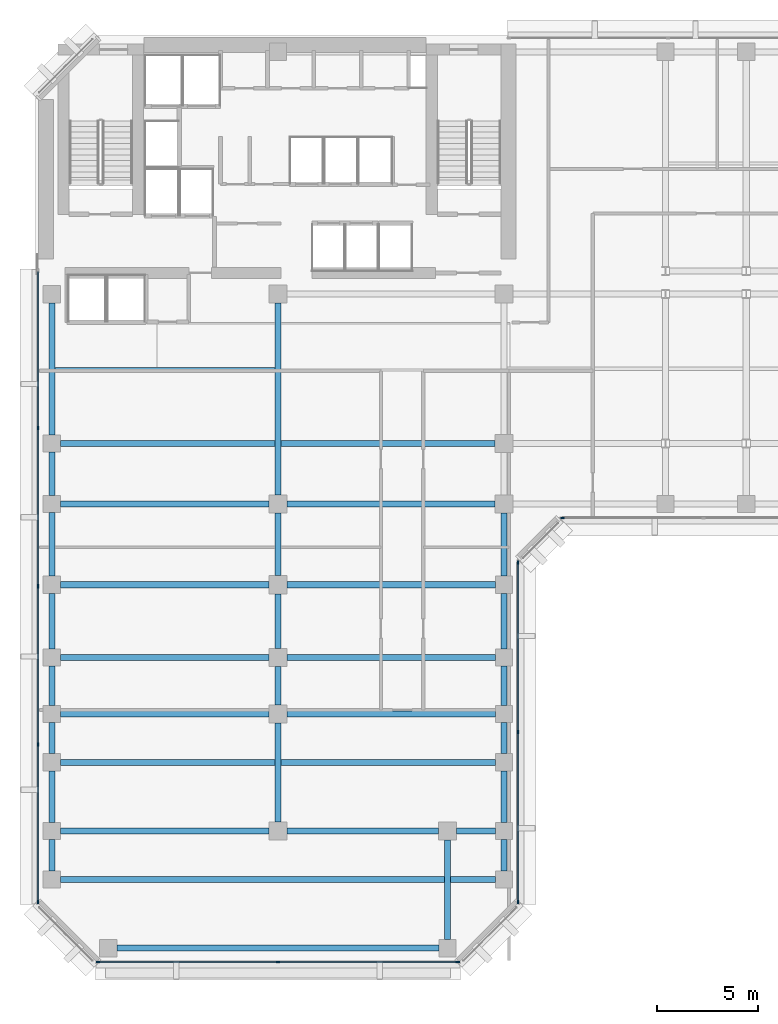
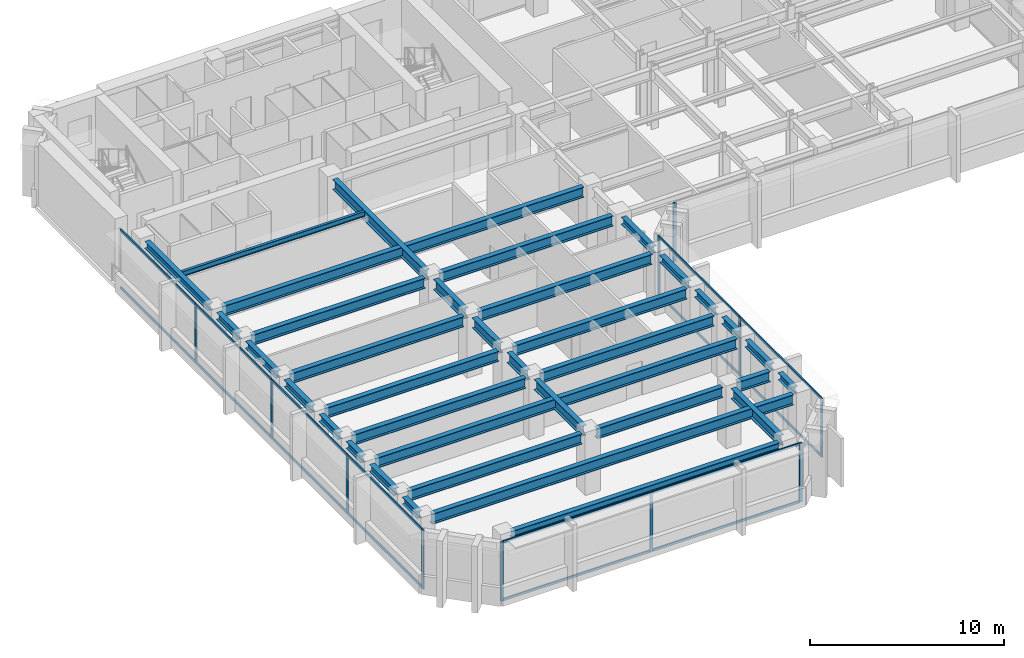
# One storey, part 2 of 11: 36 beams, 27 members, 4 elements without a shape of their own.
"""IFC4 building model written with IfcOpenShell, lengths in metres."""

import ifcopenshell
import ifcopenshell.guid

model = None  # the IFC model being written
_history = None  # IfcOwnerHistory: only IFC2X3 demands one
_inside = {}  # id of a spatial element -> (the spatial element, [elements in it])
_under = {}  # id of a project, library or spatial element -> (it, [spatial elements below it])
_declared = {}  # id of a project -> (the project, [libraries it declares])
_typed = {}  # id of a type object -> (the type object, [elements of that type])
_made_of = {}  # id of a material, layer set ... -> (it, [elements and type objects made of it])


def new_model(schema):
    """Start an empty IFC model of exactly this schema.

    Asked for "IFC4X3", IfcOpenShell would pick the latest addendum, in which some entities
    have other attributes; the version numbers below select the first issue.
    IFC2X3 requires an IfcOwnerHistory on every rooted entity: one is made here for all.
    """
    global model, _history
    if schema == "IFC4X3":
        model = ifcopenshell.file(schema_version=(4, 3, 0, 0))
    else:
        model = ifcopenshell.file(schema=schema)
    _inside.clear()
    _under.clear()
    _declared.clear()
    _typed.clear()
    _made_of.clear()
    _history = None
    if model.schema == "IFC2X3":
        org = make("IfcOrganization", Name="unknown")
        user = make(
            "IfcPersonAndOrganization",
            ThePerson=make("IfcPerson", FamilyName="unknown"),
            TheOrganization=org,
        )
        app = make(
            "IfcApplication",
            ApplicationDeveloper=org,
            Version="unknown",
            ApplicationFullName="unknown",
            ApplicationIdentifier="unknown",
        )
        _history = make(
            "IfcOwnerHistory",
            OwningUser=user,
            OwningApplication=app,
            ChangeAction="ADDED",
            CreationDate=0,
        )
    return model


def make(cls, **values):
    """One entity of the class cls with the attributes given. An attribute that is None is left unset."""
    return model.create_entity(
        cls, **{name: value for name, value in values.items() if value is not None}
    )


def rooted(cls, **values):
    """An entity with a GlobalId (a new one), such as an element, a storey or a relation."""
    return make(cls, GlobalId=ifcopenshell.guid.new(), OwnerHistory=_history, **values)


def si_unit(unit_type, name, prefix=None):
    """IfcSIUnit, for example si_unit("LENGTHUNIT", "METRE", prefix="MILLI")."""
    return make("IfcSIUnit", UnitType=unit_type, Prefix=prefix, Name=name)


def assignment(units):
    """IfcUnitAssignment: the units of a project."""
    return None if units is None else make("IfcUnitAssignment", Units=units)


def point(xyz):
    """IfcCartesianPoint."""
    return None if xyz is None else make("IfcCartesianPoint", Coordinates=xyz)


def direction(xyz):
    """IfcDirection."""
    return None if xyz is None else make("IfcDirection", DirectionRatios=xyz)


def frame(location, z_axis=None, x_axis=None):
    """IfcAxis2Placement3D, a coordinate frame: its origin and axes. An axis left out is left unset."""
    return make(
        "IfcAxis2Placement3D",
        Location=point(location),
        Axis=direction(z_axis),
        RefDirection=direction(x_axis),
    )


def frame_2d(location, x_axis=None):
    """IfcAxis2Placement2D, a coordinate frame in the plane: its origin and x axis."""
    return make(
        "IfcAxis2Placement2D", Location=point(location), RefDirection=direction(x_axis)
    )


def origin():
    """The frame at (0, 0, 0) with its axes left unset."""
    return frame((0.0, 0.0, 0.0))


def origin_2d():
    """The frame at (0, 0) in the plane with its x axis left unset."""
    return frame_2d((0.0, 0.0))


def place(relative_to, where):
    """IfcLocalPlacement: puts the frame where relative to a parent placement (None: the world)."""
    return make(
        "IfcLocalPlacement", PlacementRelTo=relative_to, RelativePlacement=where
    )


def context(
    kind, dimensions, precision=None, world=None, true_north=None, identifier=None
):
    """IfcGeometricRepresentationContext, for example the 3D "Model" context."""
    return make(
        "IfcGeometricRepresentationContext",
        ContextIdentifier=identifier,
        ContextType=kind,
        CoordinateSpaceDimension=dimensions,
        Precision=precision,
        WorldCoordinateSystem=world,
        TrueNorth=true_north,
    )


def subcontext(parent, identifier, kind, view, scale=None):
    """IfcGeometricRepresentationSubContext, for example "Body" below "Model"."""
    return make(
        "IfcGeometricRepresentationSubContext",
        ContextIdentifier=identifier,
        ContextType=kind,
        ParentContext=parent,
        TargetScale=scale,
        TargetView=view,
    )


def project(units=None, contexts=None):
    """IfcProject with its units and contexts."""
    return rooted(
        "IfcProject",
        Name="project",
        RepresentationContexts=contexts,
        UnitsInContext=assignment(units),
    )


def spatial(cls, under=None, at=None, **own):
    """A site, building, storey or space (cls), placed at a placement, below another one or the project."""
    s = rooted(cls, ObjectPlacement=at, **own)
    if under is not None:
        _under.setdefault(under.id(), (under, []))[1].append(s)
    return s


def profile(cls, at=None, kind="AREA", **sizes):
    """A parametric profile (cls). Its sizes go by their IFC names, for example OverallWidth=200.0."""
    return make(cls, ProfileType=kind, Position=at, **sizes)


def rectangle(**sizes):
    """IfcRectangleProfileDef."""
    return profile("IfcRectangleProfileDef", **sizes)


def i_section(**sizes):
    """IfcIShapeProfileDef."""
    return profile("IfcIShapeProfileDef", **sizes)


def extrude(swept, where, along, depth):
    """IfcExtrudedAreaSolid: the profile swept, set in the frame where, extruded along a direction by depth."""
    return make(
        "IfcExtrudedAreaSolid",
        SweptArea=swept,
        Position=where,
        ExtrudedDirection=direction(along),
        Depth=depth,
    )


def shape(context_of_items, identifier, shape_type, items):
    """IfcShapeRepresentation: the items that make up one representation, for example the "Body"."""
    return make(
        "IfcShapeRepresentation",
        ContextOfItems=context_of_items,
        RepresentationIdentifier=identifier,
        RepresentationType=shape_type,
        Items=items,
    )


def material(Name=None, Category=None):
    """IfcMaterial."""
    return make("IfcMaterial", Name=Name, Category=Category)


def layer(
    of_material, thickness, ventilated=None, Name=None, Category=None, Priority=None
):
    """IfcMaterialLayer: one layer of a wall or slab, of a material (None: an air gap)."""
    return make(
        "IfcMaterialLayer",
        Material=of_material,
        LayerThickness=thickness,
        IsVentilated=ventilated,
        Name=Name,
        Category=Category,
        Priority=Priority,
    )


def layer_set(layers, Name=None):
    """IfcMaterialLayerSet."""
    return make("IfcMaterialLayerSet", MaterialLayers=layers, LayerSetName=Name)


def material_profile(
    of_material, cross_section, Name=None, Category=None, Priority=None
):
    """IfcMaterialProfile: a cross section and its material."""
    return make(
        "IfcMaterialProfile",
        Name=Name,
        Material=of_material,
        Profile=cross_section,
        Priority=Priority,
        Category=Category,
    )


def profile_set(profiles, Name=None, composite=None):
    """IfcMaterialProfileSet."""
    return make(
        "IfcMaterialProfileSet",
        Name=Name,
        MaterialProfiles=profiles,
        CompositeProfile=composite,
    )


def made_of(thing, what):
    """Note that an element or type object is made of a material, layer set ...; save() writes the relation."""
    if what is not None:
        _made_of.setdefault(what.id(), (what, []))[1].append(thing)
    return thing


def type_object(cls, material=None, **own):
    """A type object (cls), such as IfcWallType, which elements share."""
    return made_of(rooted(cls, **own), material)


def element(
    cls,
    number,
    at=None,
    inside=None,
    cuts=None,
    type_object=None,
    material=None,
    context=None,
    identifier="Body",
    shape_type=None,
    held_by="IfcProductDefinitionShape",
    body=None,
    shapes=None,
    **own,
):
    """One element of the class cls, such as IfcWall. Its Tag is "e" and its number.

    at: its placement. inside: the storey or other place that contains it. cuts: it is an
    opening in that element (IfcRelVoidsElement). A single representation is given by context,
    identifier, shape_type and body (its items); several are given by shapes. held_by: the class
    of the entity that holds the representations. save() writes the other relations.
    """
    e = rooted(cls, Tag="e%d" % number, ObjectPlacement=at, **own)
    if body is not None:
        shapes = [shape(context, identifier, shape_type, body)]
    if shapes is not None:
        e.Representation = make(held_by, Representations=shapes)
    if inside is not None:
        _inside.setdefault(inside.id(), (inside, []))[1].append(e)
    if cuts is not None:
        rooted(
            "IfcRelVoidsElement", RelatingBuildingElement=cuts, RelatedOpeningElement=e
        )
    if type_object is not None:
        _typed.setdefault(type_object.id(), (type_object, []))[1].append(e)
    return made_of(e, material)


def aggregate(whole, parts):
    """IfcRelAggregates: a whole, such as a stair, and the parts it consists of."""
    return rooted("IfcRelAggregates", RelatingObject=whole, RelatedObjects=parts)


def save(model, path):
    """Write the relations noted so far, then the file.

    IfcRelAggregates (storeys below a building ...), IfcRelContainedInSpatialStructure (elements
    in a storey), IfcRelDefinesByType, IfcRelAssociatesMaterial and IfcRelDeclares: one each for
    every whole, place, type object, material and project.
    """
    for whole, parts in _under.values():
        aggregate(whole, parts)
    for where, things in _inside.values():
        rooted(
            "IfcRelContainedInSpatialStructure",
            RelatedElements=things,
            RelatingStructure=where,
        )
    for kind, things in _typed.values():
        rooted("IfcRelDefinesByType", RelatedObjects=things, RelatingType=kind)
    for what, things in _made_of.values():
        rooted("IfcRelAssociatesMaterial", RelatedObjects=things, RelatingMaterial=what)
    for by, libraries in _declared.values():
        rooted("IfcRelDeclares", RelatingContext=by, RelatedDefinitions=libraries)
    model.write(path)


model = new_model("IFC4")

# Units and contexts
model_context = context("Model", 3, precision=1e-05, world=origin(), true_north=direction((0.0, 1.0)))
body_context = subcontext(model_context, "Body", "Model", "MODEL_VIEW")
ifc_project = project(units=[si_unit("LENGTHUNIT", "METRE"), si_unit("AREAUNIT", "SQUARE_METRE"), si_unit("VOLUMEUNIT", "CUBIC_METRE"), si_unit("PLANEANGLEUNIT", "RADIAN"), si_unit("MASSUNIT", "GRAM", prefix="KILO")], contexts=[model_context])

# Site, building, storey
site_placement = place(None, origin())
site = spatial("IfcSite", under=ifc_project, at=site_placement, CompositionType="ELEMENT")
building_placement = place(site_placement, origin())
building = spatial("IfcBuilding", under=site, at=building_placement, Name="Kefirva Bronze Tower", CompositionType="ELEMENT")
storey_placement = place(building_placement, frame((0.0, 0.0, 179.52001953125)))
storey = spatial("IfcBuildingStorey", under=building, at=storey_placement, Name="L43", CompositionType="ELEMENT", Elevation=179.52001953125)

# Curtain wall, members
ifc_material_1 = material(Name="Bronze anodised aluminium", Category="aluminium")
ifc_layer = layer(ifc_material_1, 0.199951171875, Name="Bronze anodised aluminium")
ifc_layer_set = layer_set([ifc_layer], Name="Bronze anodised aluminium")
curtain_wall_type = type_object("IfcCurtainWallType", Name="Unitised Bronze Ribbon Curtain Wall Zone 2", PredefinedType="USERDEFINED", material=ifc_layer_set)
curtain_wall_1_placement = place(storey_placement, origin())
curtain_wall_1 = element("IfcCurtainWall", 1, at=curtain_wall_1_placement, inside=storey, type_object=curtain_wall_type, Name="L43 Curtain Wall 1", ObjectType="UNITISED CURTAIN WALL", PredefinedType="USERDEFINED")
ifc_material_profile_1 = material_profile(ifc_material_1, rectangle(XDim=0.074951171875, YDim=0.179931640625, at=origin_2d()), Name="ALU 75x180")
ifc_profile_set_1 = profile_set([ifc_material_profile_1], Name="Bronze anodised aluminium")
member_type_1 = type_object("IfcMemberType", Name="Bronze Mullion 75x180", PredefinedType="MULLION", material=ifc_profile_set_1)
member_1_placement = place(storey_placement, frame((3.092529296875, 0.1201171875, 0.0), z_axis=(0.0, 0.0, 1.0), x_axis=(0.0, 1.0, 0.0)))
member_1 = element("IfcMember", 2, at=member_1_placement, type_object=member_type_1, Name="CW-02 mullion 1", PredefinedType="MULLION", context=body_context, shape_type="SweptSolid", body=[
    extrude(rectangle(XDim=0.074951171875, YDim=0.179931640625, at=origin_2d()), origin(), (0.0, 0.0, 1.0), 3.7099609375),
])
member_2_placement = place(storey_placement, frame((12.0, 0.1201171875, 0.0), z_axis=(0.0, 0.0, 1.0), x_axis=(0.0, 1.0, 0.0)))
member_2 = element("IfcMember", 3, at=member_2_placement, type_object=member_type_1, Name="CW-02 mullion 2", PredefinedType="MULLION", context=body_context, shape_type="SweptSolid", body=[
    extrude(rectangle(XDim=0.074951171875, YDim=0.179931640625, at=origin_2d()), origin(), (0.0, 0.0, 1.0), 3.7099609375),
])
member_3_placement = place(storey_placement, frame((20.907470703125, 0.1201171875, 0.0), z_axis=(0.0, 0.0, 1.0), x_axis=(0.0, 1.0, 0.0)))
member_3 = element("IfcMember", 4, at=member_3_placement, type_object=member_type_1, Name="CW-02 mullion 3", PredefinedType="MULLION", context=body_context, shape_type="SweptSolid", body=[
    extrude(rectangle(XDim=0.074951171875, YDim=0.179931640625, at=origin_2d()), origin(), (0.0, 0.0, 1.0), 3.7099609375),
])

curtain_wall_2_placement = place(storey_placement, origin())
curtain_wall_2 = element("IfcCurtainWall", 5, at=curtain_wall_2_placement, inside=storey, type_object=curtain_wall_type, Name="L43 Curtain Wall 2", ObjectType="UNITISED CURTAIN WALL", PredefinedType="USERDEFINED")
member_4_placement = place(storey_placement, frame((23.8798828125, 3.092529296875, 0.0), z_axis=(0.0, 0.0, 1.0), x_axis=(-1.0, 0.0, 0.0)))
member_4 = element("IfcMember", 6, at=member_4_placement, type_object=member_type_1, Name="CW-02 mullion 1", PredefinedType="MULLION", context=body_context, shape_type="SweptSolid", body=[
    extrude(rectangle(XDim=0.074951171875, YDim=0.179931640625, at=origin_2d()), origin(), (0.0, 0.0, 1.0), 3.7099609375),
])
member_5_placement = place(storey_placement, frame((23.8798828125, 11.5, 0.0), z_axis=(0.0, 0.0, 1.0), x_axis=(-1.0, 0.0, 0.0)))
member_5 = element("IfcMember", 7, at=member_5_placement, type_object=member_type_1, Name="CW-02 mullion 2", PredefinedType="MULLION", context=body_context, shape_type="SweptSolid", body=[
    extrude(rectangle(XDim=0.074951171875, YDim=0.179931640625, at=origin_2d()), origin(), (0.0, 0.0, 1.0), 3.7099609375),
])
member_6_placement = place(storey_placement, frame((23.8798828125, 19.907470703125, 0.0), z_axis=(0.0, 0.0, 1.0), x_axis=(-1.0, 0.0, 0.0)))
member_6 = element("IfcMember", 8, at=member_6_placement, type_object=member_type_1, Name="CW-02 mullion 3", PredefinedType="MULLION", context=body_context, shape_type="SweptSolid", body=[
    extrude(rectangle(XDim=0.074951171875, YDim=0.179931640625, at=origin_2d()), origin(), (0.0, 0.0, 1.0), 3.7099609375),
])

# Curtain wall, member
curtain_wall_3_placement = place(storey_placement, origin())
curtain_wall_3 = element("IfcCurtainWall", 9, at=curtain_wall_3_placement, inside=storey, type_object=curtain_wall_type, Name="L43 Curtain Wall 3", ObjectType="UNITISED CURTAIN WALL", PredefinedType="USERDEFINED")
member_7_placement = place(storey_placement, frame((26.092529296875, 22.1201171875, 0.0), z_axis=(0.0, 0.0, 1.0), x_axis=(0.0, 1.0, 0.0)))
member_7 = element("IfcMember", 10, at=member_7_placement, type_object=member_type_1, Name="CW-02 mullion 1", PredefinedType="MULLION", context=body_context, shape_type="SweptSolid", body=[
    extrude(rectangle(XDim=0.074951171875, YDim=0.179931640625, at=origin_2d()), origin(), (0.0, 0.0, 1.0), 3.7099609375),
])
aggregate(curtain_wall_3, [member_7])

# Curtain wall, members
curtain_wall_4_placement = place(storey_placement, origin())
curtain_wall_4 = element("IfcCurtainWall", 11, at=curtain_wall_4_placement, inside=storey, type_object=curtain_wall_type, Name="L43 Curtain Wall 6", ObjectType="UNITISED CURTAIN WALL", PredefinedType="USERDEFINED")
member_8_placement = place(storey_placement, frame((0.1201171875, 26.56005859375, 0.0), z_axis=(0.0, 0.0, 1.0), x_axis=(1.0, 0.0, 0.0)))
member_8 = element("IfcMember", 12, at=member_8_placement, type_object=member_type_1, Name="CW-02 mullion 2", PredefinedType="MULLION", context=body_context, shape_type="SweptSolid", body=[
    extrude(rectangle(XDim=0.074951171875, YDim=0.179931640625, at=origin_2d()), origin(), (0.0, 0.0, 1.0), 3.7099609375),
])
member_9_placement = place(storey_placement, frame((0.1201171875, 18.72509765625, 0.0), z_axis=(0.0, 0.0, 1.0), x_axis=(1.0, 0.0, 0.0)))
member_9 = element("IfcMember", 13, at=member_9_placement, type_object=member_type_1, Name="CW-02 mullion 3", PredefinedType="MULLION", context=body_context, shape_type="SweptSolid", body=[
    extrude(rectangle(XDim=0.074951171875, YDim=0.179931640625, at=origin_2d()), origin(), (0.0, 0.0, 1.0), 3.7099609375),
])
member_10_placement = place(storey_placement, frame((0.1201171875, 10.889892578125, 0.0), z_axis=(0.0, 0.0, 1.0), x_axis=(1.0, 0.0, 0.0)))
member_10 = element("IfcMember", 14, at=member_10_placement, type_object=member_type_1, Name="CW-02 mullion 4", PredefinedType="MULLION", context=body_context, shape_type="SweptSolid", body=[
    extrude(rectangle(XDim=0.074951171875, YDim=0.179931640625, at=origin_2d()), origin(), (0.0, 0.0, 1.0), 3.7099609375),
])
member_11_placement = place(storey_placement, frame((0.1201171875, 3.092529296875, 0.0), z_axis=(0.0, 0.0, 1.0), x_axis=(1.0, 0.0, 0.0)))
member_11 = element("IfcMember", 15, at=member_11_placement, type_object=member_type_1, Name="CW-02 mullion 5", PredefinedType="MULLION", context=body_context, shape_type="SweptSolid", body=[
    extrude(rectangle(XDim=0.074951171875, YDim=0.179931640625, at=origin_2d()), origin(), (0.0, 0.0, 1.0), 3.7099609375),
])

# Member
ifc_material_profile_2 = material_profile(ifc_material_1, rectangle(XDim=0.074951171875, YDim=0.14990234375, at=origin_2d()), Name="ALU 75x150")
ifc_profile_set_2 = profile_set([ifc_material_profile_2], Name="Bronze anodised aluminium")
member_type_2 = type_object("IfcMemberType", Name="Bronze Transom 75x150", PredefinedType="USERDEFINED", material=ifc_profile_set_2)
member_12_placement = place(storey_placement, frame((3.1298828125, 0.1201171875, 0.03759765625), z_axis=(1.0, 0.0, 0.0), x_axis=(0.0, 1.0, 0.0)))
member_12 = element("IfcMember", 16, at=member_12_placement, type_object=member_type_2, Name="CW-02 transom 1.1", ObjectType="TRANSOM", PredefinedType="USERDEFINED", context=body_context, shape_type="SweptSolid", body=[
    extrude(rectangle(XDim=0.074951171875, YDim=0.14990234375, at=origin_2d()), origin(), (0.0, 0.0, 1.0), 8.83251953125),
])

member_13_placement = place(storey_placement, frame((3.1298828125, 0.1201171875, 3.67236328125), z_axis=(1.0, 0.0, 0.0), x_axis=(0.0, 1.0, 0.0)))
member_13 = element("IfcMember", 17, at=member_13_placement, type_object=member_type_2, Name="CW-02 transom 1.2", ObjectType="TRANSOM", PredefinedType="USERDEFINED", context=body_context, shape_type="SweptSolid", body=[
    extrude(rectangle(XDim=0.074951171875, YDim=0.14990234375, at=origin_2d()), origin(), (0.0, 0.0, 1.0), 8.83251953125),
])

member_14_placement = place(storey_placement, frame((12.03759765625, 0.1201171875, 0.03759765625), z_axis=(1.0, 0.0, 0.0), x_axis=(0.0, 1.0, 0.0)))
member_14 = element("IfcMember", 18, at=member_14_placement, type_object=member_type_2, Name="CW-02 transom 2.1", ObjectType="TRANSOM", PredefinedType="USERDEFINED", context=body_context, shape_type="SweptSolid", body=[
    extrude(rectangle(XDim=0.074951171875, YDim=0.14990234375, at=origin_2d()), origin(), (0.0, 0.0, 1.0), 8.83251953125),
])

member_15_placement = place(storey_placement, frame((12.03759765625, 0.1201171875, 3.67236328125), z_axis=(1.0, 0.0, 0.0), x_axis=(0.0, 1.0, 0.0)))
member_15 = element("IfcMember", 19, at=member_15_placement, type_object=member_type_2, Name="CW-02 transom 2.2", ObjectType="TRANSOM", PredefinedType="USERDEFINED", context=body_context, shape_type="SweptSolid", body=[
    extrude(rectangle(XDim=0.074951171875, YDim=0.14990234375, at=origin_2d()), origin(), (0.0, 0.0, 1.0), 8.83251953125),
])

aggregate(curtain_wall_1, [member_1, member_2, member_3, member_12, member_13, member_14, member_15])

member_16_placement = place(storey_placement, frame((23.8798828125, 3.1298828125, 0.03759765625), z_axis=(0.0, 1.0, 0.0), x_axis=(-1.0, 0.0, 0.0)))
member_16 = element("IfcMember", 20, at=member_16_placement, type_object=member_type_2, Name="CW-02 transom 1.1", ObjectType="TRANSOM", PredefinedType="USERDEFINED", context=body_context, shape_type="SweptSolid", body=[
    extrude(rectangle(XDim=0.074951171875, YDim=0.14990234375, at=origin_2d()), origin(), (0.0, 0.0, 1.0), 8.33251953125),
])

member_17_placement = place(storey_placement, frame((23.8798828125, 3.1298828125, 3.67236328125), z_axis=(0.0, 1.0, 0.0), x_axis=(-1.0, 0.0, 0.0)))
member_17 = element("IfcMember", 21, at=member_17_placement, type_object=member_type_2, Name="CW-02 transom 1.2", ObjectType="TRANSOM", PredefinedType="USERDEFINED", context=body_context, shape_type="SweptSolid", body=[
    extrude(rectangle(XDim=0.074951171875, YDim=0.14990234375, at=origin_2d()), origin(), (0.0, 0.0, 1.0), 8.33251953125),
])

member_18_placement = place(storey_placement, frame((23.8798828125, 11.53759765625, 0.03759765625), z_axis=(0.0, 1.0, 0.0), x_axis=(-1.0, 0.0, 0.0)))
member_18 = element("IfcMember", 22, at=member_18_placement, type_object=member_type_2, Name="CW-02 transom 2.1", ObjectType="TRANSOM", PredefinedType="USERDEFINED", context=body_context, shape_type="SweptSolid", body=[
    extrude(rectangle(XDim=0.074951171875, YDim=0.14990234375, at=origin_2d()), origin(), (0.0, 0.0, 1.0), 8.33251953125),
])

member_19_placement = place(storey_placement, frame((23.8798828125, 11.53759765625, 3.67236328125), z_axis=(0.0, 1.0, 0.0), x_axis=(-1.0, 0.0, 0.0)))
member_19 = element("IfcMember", 23, at=member_19_placement, type_object=member_type_2, Name="CW-02 transom 2.2", ObjectType="TRANSOM", PredefinedType="USERDEFINED", context=body_context, shape_type="SweptSolid", body=[
    extrude(rectangle(XDim=0.074951171875, YDim=0.14990234375, at=origin_2d()), origin(), (0.0, 0.0, 1.0), 8.33251953125),
])

aggregate(curtain_wall_2, [member_4, member_5, member_6, member_16, member_17, member_18, member_19])

member_20_placement = place(storey_placement, frame((0.1201171875, 34.320068359375, 0.03759765625), z_axis=(0.0, -1.0, 0.0), x_axis=(1.0, 0.0, 0.0)))
member_20 = element("IfcMember", 24, at=member_20_placement, type_object=member_type_2, Name="CW-02 transom 1.1", ObjectType="TRANSOM", PredefinedType="USERDEFINED", context=body_context, shape_type="SweptSolid", body=[
    extrude(rectangle(XDim=0.074951171875, YDim=0.14990234375, at=origin_2d()), origin(), (0.0, 0.0, 1.0), 7.72265625),
])

member_21_placement = place(storey_placement, frame((0.1201171875, 34.320068359375, 3.67236328125), z_axis=(0.0, -1.0, 0.0), x_axis=(1.0, 0.0, 0.0)))
member_21 = element("IfcMember", 25, at=member_21_placement, type_object=member_type_2, Name="CW-02 transom 1.2", ObjectType="TRANSOM", PredefinedType="USERDEFINED", context=body_context, shape_type="SweptSolid", body=[
    extrude(rectangle(XDim=0.074951171875, YDim=0.14990234375, at=origin_2d()), origin(), (0.0, 0.0, 1.0), 7.72265625),
])

member_22_placement = place(storey_placement, frame((0.1201171875, 26.5224609375, 0.03759765625), z_axis=(0.0, -1.0, 0.0), x_axis=(1.0, 0.0, 0.0)))
member_22 = element("IfcMember", 26, at=member_22_placement, type_object=member_type_2, Name="CW-02 transom 2.1", ObjectType="TRANSOM", PredefinedType="USERDEFINED", context=body_context, shape_type="SweptSolid", body=[
    extrude(rectangle(XDim=0.074951171875, YDim=0.14990234375, at=origin_2d()), origin(), (0.0, 0.0, 1.0), 7.760009765625),
])

member_23_placement = place(storey_placement, frame((0.1201171875, 26.5224609375, 3.67236328125), z_axis=(0.0, -1.0, 0.0), x_axis=(1.0, 0.0, 0.0)))
member_23 = element("IfcMember", 27, at=member_23_placement, type_object=member_type_2, Name="CW-02 transom 2.2", ObjectType="TRANSOM", PredefinedType="USERDEFINED", context=body_context, shape_type="SweptSolid", body=[
    extrude(rectangle(XDim=0.074951171875, YDim=0.14990234375, at=origin_2d()), origin(), (0.0, 0.0, 1.0), 7.760009765625),
])

member_24_placement = place(storey_placement, frame((0.1201171875, 18.6875, 0.03759765625), z_axis=(0.0, -1.0, 0.0), x_axis=(1.0, 0.0, 0.0)))
member_24 = element("IfcMember", 28, at=member_24_placement, type_object=member_type_2, Name="CW-02 transom 3.1", ObjectType="TRANSOM", PredefinedType="USERDEFINED", context=body_context, shape_type="SweptSolid", body=[
    extrude(rectangle(XDim=0.074951171875, YDim=0.14990234375, at=origin_2d()), origin(), (0.0, 0.0, 1.0), 7.760009765625),
])

member_25_placement = place(storey_placement, frame((0.1201171875, 18.6875, 3.67236328125), z_axis=(0.0, -1.0, 0.0), x_axis=(1.0, 0.0, 0.0)))
member_25 = element("IfcMember", 29, at=member_25_placement, type_object=member_type_2, Name="CW-02 transom 3.2", ObjectType="TRANSOM", PredefinedType="USERDEFINED", context=body_context, shape_type="SweptSolid", body=[
    extrude(rectangle(XDim=0.074951171875, YDim=0.14990234375, at=origin_2d()), origin(), (0.0, 0.0, 1.0), 7.760009765625),
])

member_26_placement = place(storey_placement, frame((0.1201171875, 10.8525390625, 0.03759765625), z_axis=(0.0, -1.0, 0.0), x_axis=(1.0, 0.0, 0.0)))
member_26 = element("IfcMember", 30, at=member_26_placement, type_object=member_type_2, Name="CW-02 transom 4.1", ObjectType="TRANSOM", PredefinedType="USERDEFINED", context=body_context, shape_type="SweptSolid", body=[
    extrude(rectangle(XDim=0.074951171875, YDim=0.14990234375, at=origin_2d()), origin(), (0.0, 0.0, 1.0), 7.72265625),
])

member_27_placement = place(storey_placement, frame((0.1201171875, 10.8525390625, 3.67236328125), z_axis=(0.0, -1.0, 0.0), x_axis=(1.0, 0.0, 0.0)))
member_27 = element("IfcMember", 31, at=member_27_placement, type_object=member_type_2, Name="CW-02 transom 4.2", ObjectType="TRANSOM", PredefinedType="USERDEFINED", context=body_context, shape_type="SweptSolid", body=[
    extrude(rectangle(XDim=0.074951171875, YDim=0.14990234375, at=origin_2d()), origin(), (0.0, 0.0, 1.0), 7.72265625),
])

aggregate(curtain_wall_4, [member_8, member_9, member_10, member_11, member_20, member_21, member_22, member_23, member_24, member_25, member_26, member_27])

# Beams
ifc_material_2 = material(Name="Steel S355", Category="steel")
ifc_material_profile_3 = material_profile(ifc_material_2, i_section(OverallWidth=0.159912109375, OverallDepth=0.330078125, WebThickness=0.007568359375, FlangeThickness=0.011474609375, at=origin_2d()), Name="IPE 330")
ifc_profile_set_3 = profile_set([ifc_material_profile_3], Name="Steel S355")
beam_type_1 = type_object("IfcBeamType", Name="Steel Floor Joist IPE 330", PredefinedType="JOIST", material=ifc_profile_set_3)
beam_1_placement = place(storey_placement, frame((0.949951171875, 29.489990234375, 3.544921875), z_axis=(1.0, 0.0, 0.0), x_axis=(0.0, 1.0, 0.0)))
element("IfcBeam", 32, at=beam_1_placement, inside=storey, type_object=beam_type_1, Name="L43 JST-L43-0-294", PredefinedType="JOIST", context=body_context, shape_type="SweptSolid", body=[
    extrude(i_section(OverallWidth=0.159912109375, OverallDepth=0.330078125, WebThickness=0.007568359375, FlangeThickness=0.011474609375, at=origin_2d()), origin(), (0.0, 0.0, 1.0), 10.900146484375),
])
ifc_material_profile_4 = material_profile(ifc_material_2, i_section(OverallWidth=0.300048828125, OverallDepth=0.64990234375, WebThickness=0.01611328125, FlangeThickness=0.031005859375, at=origin_2d()), Name="HEB 650")
ifc_profile_set_4 = profile_set([ifc_material_profile_4], Name="Steel S355")
beam_type_2 = type_object("IfcBeamType", Name="Steel Girder HEB 650", PredefinedType="USERDEFINED", material=ifc_profile_set_4)
beam_2_placement = place(storey_placement, frame((1.22998046875, 4.199951171875, 3.385009765625), z_axis=(1.0, 0.0, 0.0), x_axis=(0.0, 1.0, 0.0)))
element("IfcBeam", 33, at=beam_2_placement, inside=storey, type_object=beam_type_2, Name="L43 BM-L43-EW-0-42", ObjectType="GIRDER", PredefinedType="USERDEFINED", context=body_context, shape_type="SweptSolid", body=[
    extrude(i_section(OverallWidth=0.300048828125, OverallDepth=0.64990234375, WebThickness=0.01611328125, FlangeThickness=0.031005859375, at=origin_2d()), origin(), (0.0, 0.0, 1.0), 21.5400390625),
])
beam_3_placement = place(storey_placement, frame((1.22998046875, 6.60009765625, 3.385009765625), z_axis=(1.0, 0.0, 0.0), x_axis=(0.0, 1.0, 0.0)))
element("IfcBeam", 34, at=beam_3_placement, inside=storey, type_object=beam_type_2, Name="L43 BM-L43-EW-0-66", ObjectType="GIRDER", PredefinedType="USERDEFINED", context=body_context, shape_type="SweptSolid", body=[
    extrude(i_section(OverallWidth=0.300048828125, OverallDepth=0.64990234375, WebThickness=0.01611328125, FlangeThickness=0.031005859375, at=origin_2d()), origin(), (0.0, 0.0, 1.0), 10.320068359375),
])
beam_4_placement = place(storey_placement, frame((12.449951171875, 6.60009765625, 3.385009765625), z_axis=(1.0, 0.0, 0.0), x_axis=(0.0, 1.0, 0.0)))
element("IfcBeam", 35, at=beam_4_placement, inside=storey, type_object=beam_type_2, Name="L43 BM-L43-EW-12-66", ObjectType="GIRDER", PredefinedType="USERDEFINED", context=body_context, shape_type="SweptSolid", body=[
    extrude(i_section(OverallWidth=0.300048828125, OverallDepth=0.64990234375, WebThickness=0.01611328125, FlangeThickness=0.031005859375, at=origin_2d()), origin(), (0.0, 0.0, 1.0), 7.5),
])
beam_5_placement = place(storey_placement, frame((20.85009765625, 6.60009765625, 3.385009765625), z_axis=(1.0, 0.0, 0.0), x_axis=(0.0, 1.0, 0.0)))
element("IfcBeam", 36, at=beam_5_placement, inside=storey, type_object=beam_type_2, Name="L43 BM-L43-EW-20-66", ObjectType="GIRDER", PredefinedType="USERDEFINED", context=body_context, shape_type="SweptSolid", body=[
    extrude(i_section(OverallWidth=0.300048828125, OverallDepth=0.64990234375, WebThickness=0.01611328125, FlangeThickness=0.031005859375, at=origin_2d()), origin(), (0.0, 0.0, 1.0), 1.919921875),
])
beam_6_placement = place(storey_placement, frame((1.22998046875, 10.0, 3.385009765625), z_axis=(1.0, 0.0, 0.0), x_axis=(0.0, 1.0, 0.0)))
element("IfcBeam", 37, at=beam_6_placement, inside=storey, type_object=beam_type_2, Name="L43 BM-L43-EW-0-100", ObjectType="GIRDER", PredefinedType="USERDEFINED", context=body_context, shape_type="SweptSolid", body=[
    extrude(i_section(OverallWidth=0.300048828125, OverallDepth=0.64990234375, WebThickness=0.01611328125, FlangeThickness=0.031005859375, at=origin_2d()), origin(), (0.0, 0.0, 1.0), 21.5400390625),
])
for number, where, z_axis, x_axis, name in (
    (38, (1.22998046875, 12.39990234375, 3.385009765625), (1.0, 0.0, 0.0), (0.0, 1.0, 0.0), "L43 BM-L43-EW-0-124"),
    (39, (12.449951171875, 12.39990234375, 3.385009765625), (1.0, 0.0, 0.0), (0.0, 1.0, 0.0), "L43 BM-L43-EW-12-124"),
    (40, (1.22998046875, 15.199951171875, 3.385009765625), (1.0, 0.0, 0.0), (0.0, 1.0, 0.0), "L43 BM-L43-EW-0-152"),
    (41, (12.449951171875, 15.199951171875, 3.385009765625), (1.0, 0.0, 0.0), (0.0, 1.0, 0.0), "L43 BM-L43-EW-12-152"),
    (42, (1.22998046875, 18.800048828125, 3.385009765625), (1.0, 0.0, 0.0), (0.0, 1.0, 0.0), "L43 BM-L43-EW-0-188"),
    (43, (12.449951171875, 18.800048828125, 3.385009765625), (1.0, 0.0, 0.0), (0.0, 1.0, 0.0), "L43 BM-L43-EW-12-188"),
    (44, (1.22998046875, 22.800048828125, 3.385009765625), (1.0, 0.0, 0.0), (0.0, 1.0, 0.0), "L43 BM-L43-EW-0-228"),
):
    element("IfcBeam", number, at=place(storey_placement, frame(where, z_axis=z_axis, x_axis=x_axis)), inside=storey, type_object=beam_type_2, Name=name, ObjectType="GIRDER", PredefinedType="USERDEFINED", context=body_context, shape_type="SweptSolid", body=[
        extrude(i_section(OverallWidth=0.300048828125, OverallDepth=0.64990234375, WebThickness=0.01611328125, FlangeThickness=0.031005859375, at=origin_2d()), origin(), (0.0, 0.0, 1.0), 10.320068359375),
    ])
beam_7_placement = place(storey_placement, frame((12.449951171875, 22.800048828125, 3.385009765625), z_axis=(1.0, 0.0, 0.0), x_axis=(0.0, 1.0, 0.0)))
element("IfcBeam", 45, at=beam_7_placement, inside=storey, type_object=beam_type_2, Name="L43 BM-L43-EW-12-228", ObjectType="GIRDER", PredefinedType="USERDEFINED", context=body_context, shape_type="SweptSolid", body=[
    extrude(i_section(OverallWidth=0.300048828125, OverallDepth=0.64990234375, WebThickness=0.01611328125, FlangeThickness=0.031005859375, at=origin_2d()), origin(), (0.0, 0.0, 1.0), 10.300048828125),
])
beam_8_placement = place(storey_placement, frame((1.22998046875, 25.800048828125, 3.385009765625), z_axis=(1.0, 0.0, 0.0), x_axis=(0.0, 1.0, 0.0)))
element("IfcBeam", 46, at=beam_8_placement, inside=storey, type_object=beam_type_2, Name="L43 BM-L43-EW-0-258", ObjectType="GIRDER", PredefinedType="USERDEFINED", context=body_context, shape_type="SweptSolid", body=[
    extrude(i_section(OverallWidth=0.300048828125, OverallDepth=0.64990234375, WebThickness=0.01611328125, FlangeThickness=0.031005859375, at=origin_2d()), origin(), (0.0, 0.0, 1.0), 21.52001953125),
])
beam_9_placement = place(storey_placement, frame((12.0, 7.050048828125, 3.385009765625), z_axis=(0.0, 1.0, 0.0), x_axis=(-1.0, 0.0, 0.0)))
element("IfcBeam", 47, at=beam_9_placement, inside=storey, type_object=beam_type_2, Name="L43 BM-L43-NS-120-6", ObjectType="GIRDER", PredefinedType="USERDEFINED", context=body_context, shape_type="SweptSolid", body=[
    extrude(i_section(OverallWidth=0.300048828125, OverallDepth=0.64990234375, WebThickness=0.01611328125, FlangeThickness=0.031005859375, at=origin_2d()), origin(), (0.0, 0.0, 1.0), 4.89990234375),
])
beam_10_placement = place(storey_placement, frame((12.0, 12.85009765625, 3.385009765625), z_axis=(0.0, 1.0, 0.0), x_axis=(-1.0, 0.0, 0.0)))
element("IfcBeam", 48, at=beam_10_placement, inside=storey, type_object=beam_type_2, Name="L43 BM-L43-NS-120-12", ObjectType="GIRDER", PredefinedType="USERDEFINED", context=body_context, shape_type="SweptSolid", body=[
    extrude(i_section(OverallWidth=0.300048828125, OverallDepth=0.64990234375, WebThickness=0.01611328125, FlangeThickness=0.031005859375, at=origin_2d()), origin(), (0.0, 0.0, 1.0), 1.89990234375),
])
beam_11_placement = place(storey_placement, frame((12.0, 15.64990234375, 3.385009765625), z_axis=(0.0, 1.0, 0.0), x_axis=(-1.0, 0.0, 0.0)))
element("IfcBeam", 49, at=beam_11_placement, inside=storey, type_object=beam_type_2, Name="L43 BM-L43-NS-120-15", ObjectType="GIRDER", PredefinedType="USERDEFINED", context=body_context, shape_type="SweptSolid", body=[
    extrude(i_section(OverallWidth=0.300048828125, OverallDepth=0.64990234375, WebThickness=0.01611328125, FlangeThickness=0.031005859375, at=origin_2d()), origin(), (0.0, 0.0, 1.0), 2.7001953125),
])
beam_12_placement = place(storey_placement, frame((12.0, 19.25, 3.385009765625), z_axis=(0.0, 1.0, 0.0), x_axis=(-1.0, 0.0, 0.0)))
element("IfcBeam", 50, at=beam_12_placement, inside=storey, type_object=beam_type_2, Name="L43 BM-L43-NS-120-18", ObjectType="GIRDER", PredefinedType="USERDEFINED", context=body_context, shape_type="SweptSolid", body=[
    extrude(i_section(OverallWidth=0.300048828125, OverallDepth=0.64990234375, WebThickness=0.01611328125, FlangeThickness=0.031005859375, at=origin_2d()), origin(), (0.0, 0.0, 1.0), 3.10009765625),
])
beam_13_placement = place(storey_placement, frame((12.0, 23.25, 3.385009765625), z_axis=(0.0, 1.0, 0.0), x_axis=(-1.0, 0.0, 0.0)))
element("IfcBeam", 51, at=beam_13_placement, inside=storey, type_object=beam_type_2, Name="L43 BM-L43-NS-120-22", ObjectType="GIRDER", PredefinedType="USERDEFINED", context=body_context, shape_type="SweptSolid", body=[
    extrude(i_section(OverallWidth=0.300048828125, OverallDepth=0.64990234375, WebThickness=0.01611328125, FlangeThickness=0.031005859375, at=origin_2d()), origin(), (0.0, 0.0, 1.0), 9.5),
])
beam_14_placement = place(storey_placement, frame((20.39990234375, 1.22998046875, 3.385009765625), z_axis=(0.0, 1.0, 0.0), x_axis=(-1.0, 0.0, 0.0)))
element("IfcBeam", 52, at=beam_14_placement, inside=storey, type_object=beam_type_2, Name="L43 BM-L43-NS-204-0", ObjectType="GIRDER", PredefinedType="USERDEFINED", context=body_context, shape_type="SweptSolid", body=[
    extrude(i_section(OverallWidth=0.300048828125, OverallDepth=0.64990234375, WebThickness=0.01611328125, FlangeThickness=0.031005859375, at=origin_2d()), origin(), (0.0, 0.0, 1.0), 4.919921875),
])
ifc_material_profile_5 = material_profile(ifc_material_2, i_section(OverallWidth=0.300048828125, OverallDepth=0.449951171875, WebThickness=0.013916015625, FlangeThickness=0.02587890625, at=origin_2d()), Name="HEB 450")
ifc_profile_set_5 = profile_set([ifc_material_profile_5], Name="Steel S355")
beam_type_3 = type_object("IfcBeamType", Name="Steel Spandrel HEB 450 Ext", PredefinedType="SPANDREL", material=ifc_profile_set_5)
beam_15_placement = place(storey_placement, frame((4.030029296875, 0.800048828125, 3.48486328125), z_axis=(1.0, 0.0, 0.0), x_axis=(0.0, 1.0, 0.0)))
element("IfcBeam", 53, at=beam_15_placement, inside=storey, type_object=beam_type_3, Name="L43 BM-L43-EW-3-8", PredefinedType="SPANDREL", context=body_context, shape_type="SweptSolid", body=[
    extrude(i_section(OverallWidth=0.300048828125, OverallDepth=0.449951171875, WebThickness=0.013916015625, FlangeThickness=0.02587890625, at=origin_2d()), origin(), (0.0, 0.0, 1.0), 15.93994140625),
])
beam_16_placement = place(storey_placement, frame((0.800048828125, 4.6298828125, 3.48486328125), z_axis=(0.0, 1.0, 0.0), x_axis=(-1.0, 0.0, 0.0)))
element("IfcBeam", 54, at=beam_16_placement, inside=storey, type_object=beam_type_3, Name="L43 BM-L43-NS-8-4", PredefinedType="SPANDREL", context=body_context, shape_type="SweptSolid", body=[
    extrude(i_section(OverallWidth=0.300048828125, OverallDepth=0.449951171875, WebThickness=0.013916015625, FlangeThickness=0.02587890625, at=origin_2d()), origin(), (0.0, 0.0, 1.0), 1.5400390625),
])
beam_17_placement = place(storey_placement, frame((0.800048828125, 7.030029296875, 3.48486328125), z_axis=(0.0, 1.0, 0.0), x_axis=(-1.0, 0.0, 0.0)))
element("IfcBeam", 55, at=beam_17_placement, inside=storey, type_object=beam_type_3, Name="L43 BM-L43-NS-8-6", PredefinedType="SPANDREL", context=body_context, shape_type="SweptSolid", body=[
    extrude(i_section(OverallWidth=0.300048828125, OverallDepth=0.449951171875, WebThickness=0.013916015625, FlangeThickness=0.02587890625, at=origin_2d()), origin(), (0.0, 0.0, 1.0), 2.5400390625),
])
beam_18_placement = place(storey_placement, frame((0.800048828125, 10.429931640625, 3.48486328125), z_axis=(0.0, 1.0, 0.0), x_axis=(-1.0, 0.0, 0.0)))
element("IfcBeam", 56, at=beam_18_placement, inside=storey, type_object=beam_type_3, Name="L43 BM-L43-NS-8-10", PredefinedType="SPANDREL", context=body_context, shape_type="SweptSolid", body=[
    extrude(i_section(OverallWidth=0.300048828125, OverallDepth=0.449951171875, WebThickness=0.013916015625, FlangeThickness=0.02587890625, at=origin_2d()), origin(), (0.0, 0.0, 1.0), 1.5400390625),
])
beam_19_placement = place(storey_placement, frame((0.800048828125, 12.830078125, 3.48486328125), z_axis=(0.0, 1.0, 0.0), x_axis=(-1.0, 0.0, 0.0)))
element("IfcBeam", 57, at=beam_19_placement, inside=storey, type_object=beam_type_3, Name="L43 BM-L43-NS-8-12", PredefinedType="SPANDREL", context=body_context, shape_type="SweptSolid", body=[
    extrude(i_section(OverallWidth=0.300048828125, OverallDepth=0.449951171875, WebThickness=0.013916015625, FlangeThickness=0.02587890625, at=origin_2d()), origin(), (0.0, 0.0, 1.0), 1.93994140625),
])
beam_20_placement = place(storey_placement, frame((0.800048828125, 15.6298828125, 3.48486328125), z_axis=(0.0, 1.0, 0.0), x_axis=(-1.0, 0.0, 0.0)))
element("IfcBeam", 58, at=beam_20_placement, inside=storey, type_object=beam_type_3, Name="L43 BM-L43-NS-8-15", PredefinedType="SPANDREL", context=body_context, shape_type="SweptSolid", body=[
    extrude(i_section(OverallWidth=0.300048828125, OverallDepth=0.449951171875, WebThickness=0.013916015625, FlangeThickness=0.02587890625, at=origin_2d()), origin(), (0.0, 0.0, 1.0), 2.740234375),
])
beam_21_placement = place(storey_placement, frame((0.800048828125, 19.22998046875, 3.48486328125), z_axis=(0.0, 1.0, 0.0), x_axis=(-1.0, 0.0, 0.0)))
element("IfcBeam", 59, at=beam_21_placement, inside=storey, type_object=beam_type_3, Name="L43 BM-L43-NS-8-18", PredefinedType="SPANDREL", context=body_context, shape_type="SweptSolid", body=[
    extrude(i_section(OverallWidth=0.300048828125, OverallDepth=0.449951171875, WebThickness=0.013916015625, FlangeThickness=0.02587890625, at=origin_2d()), origin(), (0.0, 0.0, 1.0), 3.14013671875),
])
beam_22_placement = place(storey_placement, frame((0.800048828125, 23.22998046875, 3.48486328125), z_axis=(0.0, 1.0, 0.0), x_axis=(-1.0, 0.0, 0.0)))
element("IfcBeam", 60, at=beam_22_placement, inside=storey, type_object=beam_type_3, Name="L43 BM-L43-NS-8-22", PredefinedType="SPANDREL", context=body_context, shape_type="SweptSolid", body=[
    extrude(i_section(OverallWidth=0.300048828125, OverallDepth=0.449951171875, WebThickness=0.013916015625, FlangeThickness=0.02587890625, at=origin_2d()), origin(), (0.0, 0.0, 1.0), 2.14013671875),
])
beam_23_placement = place(storey_placement, frame((0.800048828125, 26.22998046875, 3.48486328125), z_axis=(0.0, 1.0, 0.0), x_axis=(-1.0, 0.0, 0.0)))
element("IfcBeam", 61, at=beam_23_placement, inside=storey, type_object=beam_type_3, Name="L43 BM-L43-NS-8-25", PredefinedType="SPANDREL", context=body_context, shape_type="SweptSolid", body=[
    extrude(i_section(OverallWidth=0.300048828125, OverallDepth=0.449951171875, WebThickness=0.013916015625, FlangeThickness=0.02587890625, at=origin_2d()), origin(), (0.0, 0.0, 1.0), 6.5400390625),
])
beam_24_placement = place(storey_placement, frame((23.199951171875, 4.6298828125, 3.48486328125), z_axis=(0.0, 1.0, 0.0), x_axis=(-1.0, 0.0, 0.0)))
element("IfcBeam", 62, at=beam_24_placement, inside=storey, type_object=beam_type_3, Name="L43 BM-L43-NS-232-4", PredefinedType="SPANDREL", context=body_context, shape_type="SweptSolid", body=[
    extrude(i_section(OverallWidth=0.300048828125, OverallDepth=0.449951171875, WebThickness=0.013916015625, FlangeThickness=0.02587890625, at=origin_2d()), origin(), (0.0, 0.0, 1.0), 1.5400390625),
])
beam_25_placement = place(storey_placement, frame((23.199951171875, 7.030029296875, 3.48486328125), z_axis=(0.0, 1.0, 0.0), x_axis=(-1.0, 0.0, 0.0)))
element("IfcBeam", 63, at=beam_25_placement, inside=storey, type_object=beam_type_3, Name="L43 BM-L43-NS-232-6", PredefinedType="SPANDREL", context=body_context, shape_type="SweptSolid", body=[
    extrude(i_section(OverallWidth=0.300048828125, OverallDepth=0.449951171875, WebThickness=0.013916015625, FlangeThickness=0.02587890625, at=origin_2d()), origin(), (0.0, 0.0, 1.0), 2.5400390625),
])
beam_26_placement = place(storey_placement, frame((23.199951171875, 10.429931640625, 3.48486328125), z_axis=(0.0, 1.0, 0.0), x_axis=(-1.0, 0.0, 0.0)))
element("IfcBeam", 64, at=beam_26_placement, inside=storey, type_object=beam_type_3, Name="L43 BM-L43-NS-232-10", PredefinedType="SPANDREL", context=body_context, shape_type="SweptSolid", body=[
    extrude(i_section(OverallWidth=0.300048828125, OverallDepth=0.449951171875, WebThickness=0.013916015625, FlangeThickness=0.02587890625, at=origin_2d()), origin(), (0.0, 0.0, 1.0), 1.5400390625),
])
beam_27_placement = place(storey_placement, frame((23.199951171875, 12.830078125, 3.48486328125), z_axis=(0.0, 1.0, 0.0), x_axis=(-1.0, 0.0, 0.0)))
element("IfcBeam", 65, at=beam_27_placement, inside=storey, type_object=beam_type_3, Name="L43 BM-L43-NS-232-12", PredefinedType="SPANDREL", context=body_context, shape_type="SweptSolid", body=[
    extrude(i_section(OverallWidth=0.300048828125, OverallDepth=0.449951171875, WebThickness=0.013916015625, FlangeThickness=0.02587890625, at=origin_2d()), origin(), (0.0, 0.0, 1.0), 1.93994140625),
])
beam_28_placement = place(storey_placement, frame((23.199951171875, 15.6298828125, 3.48486328125), z_axis=(0.0, 1.0, 0.0), x_axis=(-1.0, 0.0, 0.0)))
element("IfcBeam", 66, at=beam_28_placement, inside=storey, type_object=beam_type_3, Name="L43 BM-L43-NS-232-15", PredefinedType="SPANDREL", context=body_context, shape_type="SweptSolid", body=[
    extrude(i_section(OverallWidth=0.300048828125, OverallDepth=0.449951171875, WebThickness=0.013916015625, FlangeThickness=0.02587890625, at=origin_2d()), origin(), (0.0, 0.0, 1.0), 2.740234375),
])
beam_29_placement = place(storey_placement, frame((23.199951171875, 19.22998046875, 3.48486328125), z_axis=(0.0, 1.0, 0.0), x_axis=(-1.0, 0.0, 0.0)))
element("IfcBeam", 67, at=beam_29_placement, inside=storey, type_object=beam_type_3, Name="L43 BM-L43-NS-232-18", PredefinedType="SPANDREL", context=body_context, shape_type="SweptSolid", body=[
    extrude(i_section(OverallWidth=0.300048828125, OverallDepth=0.449951171875, WebThickness=0.013916015625, FlangeThickness=0.02587890625, at=origin_2d()), origin(), (0.0, 0.0, 1.0), 3.1201171875),
])

save(model, "model.ifc")
